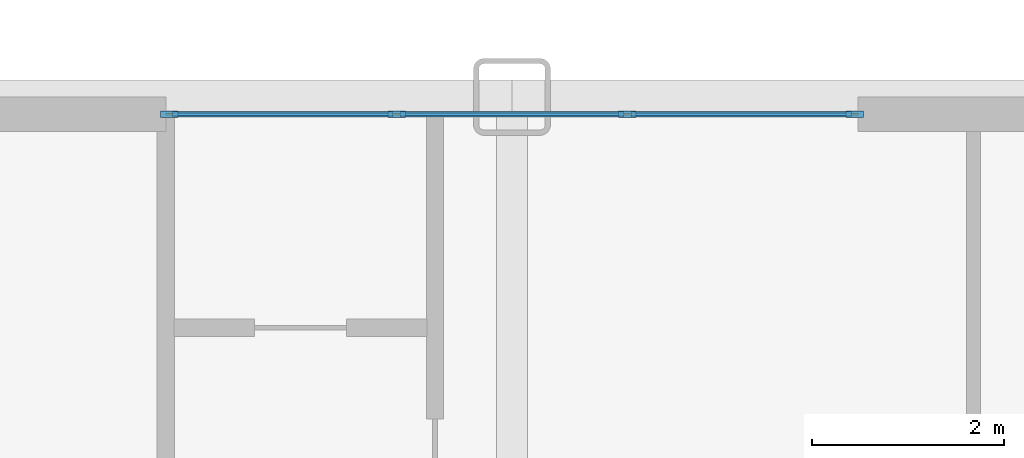
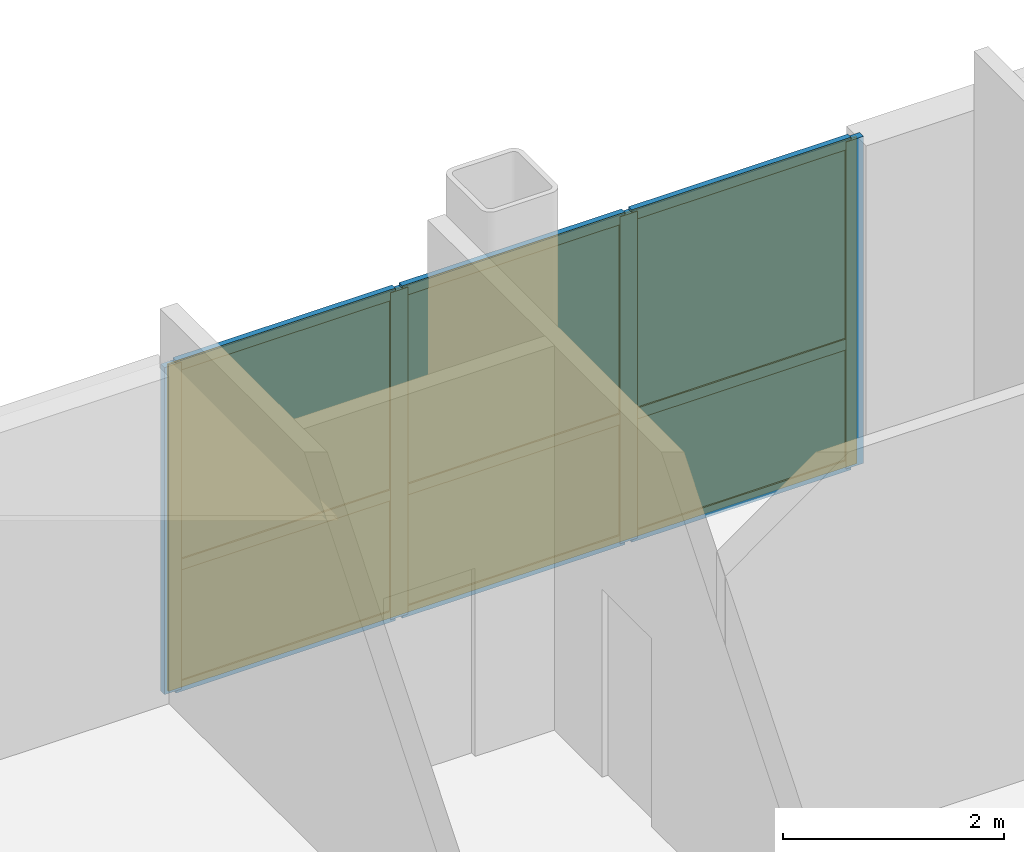
# One storey, part 10 of 15: 13 members, 6 plates, 1 curtain wall.
"""IFC4 building model written with IfcOpenShell, lengths in metres."""

from ifc_helpers import new_model, si_unit, direction, frame, frame_2d, origin, origin_2d, place, context, subcontext, project, spatial, rectangle, extrude, source, transform, mapped, material, layer, layer_set, material_profile, profile_set, type_object, type_shapes, element, aggregate, save


model = new_model("IFC4")

# Units and contexts
model_context = context("Model", 3, precision=1e-05, world=origin(), true_north=direction((0.0, 1.0)))
body_context = subcontext(model_context, "Body", "Model", "MODEL_VIEW")
ifc_project = project(units=[si_unit("LENGTHUNIT", "METRE"), si_unit("AREAUNIT", "SQUARE_METRE"), si_unit("VOLUMEUNIT", "CUBIC_METRE"), si_unit("PLANEANGLEUNIT", "RADIAN"), si_unit("MASSUNIT", "GRAM", prefix="KILO")], contexts=[model_context])

# Member
ifc_material_1 = material(Name="Anodised aluminium 6063-T6", Category="aluminium")
ifc_material_profile_1 = material_profile(ifc_material_1, rectangle(XDim=0.070068359375, YDim=0.179931640625, at=origin_2d()), Name="ALU-MULL-70x180")
ifc_profile_set_1 = profile_set([ifc_material_profile_1], Name="Anodised aluminium 6063-T6")
member_type_1 = type_object("IfcMemberType", Name="CWM-2", PredefinedType="MULLION", material=ifc_profile_set_1)
site_placement = place(None, origin())
building_placement = place(site_placement, origin())
storey_placement = place(building_placement, frame((0.0, 0.0, 4.60009765625)))
member_1_placement = place(storey_placement, frame((-22.56494140625, 25.820068359375, 0.0), z_axis=(0.0, 0.0, 1.0), x_axis=(0.0, 1.0, 0.0)))
member_1 = element("IfcMember", 1, at=member_1_placement, type_object=member_type_1, Name="CWS-2 mullion 1", PredefinedType="MULLION", context=body_context, shape_type="SweptSolid", body=[
    extrude(rectangle(XDim=0.070068359375, YDim=0.179931640625, at=origin_2d()), origin(), (0.0, 0.0, 1.0), 3.614990234375),
])

member_2_placement = place(storey_placement, frame((-20.199951171875, 25.820068359375, 0.0), z_axis=(0.0, 0.0, 1.0), x_axis=(0.0, 1.0, 0.0)))
member_2 = element("IfcMember", 2, at=member_2_placement, type_object=member_type_1, Name="CWS-2 mullion 2", PredefinedType="MULLION", context=body_context, shape_type="SweptSolid", body=[
    extrude(rectangle(XDim=0.070068359375, YDim=0.179931640625, at=origin_2d()), origin(), (0.0, 0.0, 1.0), 3.614990234375),
])

member_3_placement = place(storey_placement, frame((-17.800048828125, 25.820068359375, 0.0), z_axis=(0.0, 0.0, 1.0), x_axis=(0.0, 1.0, 0.0)))
member_3 = element("IfcMember", 3, at=member_3_placement, type_object=member_type_1, Name="CWS-2 mullion 3", PredefinedType="MULLION", context=body_context, shape_type="SweptSolid", body=[
    extrude(rectangle(XDim=0.070068359375, YDim=0.179931640625, at=origin_2d()), origin(), (0.0, 0.0, 1.0), 3.614990234375),
])

member_4_placement = place(storey_placement, frame((-15.43505859375, 25.820068359375, 0.0), z_axis=(0.0, 0.0, 1.0), x_axis=(0.0, 1.0, 0.0)))
member_4 = element("IfcMember", 4, at=member_4_placement, type_object=member_type_1, Name="CWS-2 mullion 4", PredefinedType="MULLION", context=body_context, shape_type="SweptSolid", body=[
    extrude(rectangle(XDim=0.070068359375, YDim=0.179931640625, at=origin_2d()), origin(), (0.0, 0.0, 1.0), 3.614990234375),
])

ifc_material_profile_2 = material_profile(ifc_material_1, rectangle(XDim=0.06005859375, YDim=0.1201171875, at=origin_2d()), Name="ALU-TRAN-60x120")
ifc_profile_set_2 = profile_set([ifc_material_profile_2], Name="Anodised aluminium 6063-T6")
member_type_2 = type_object("IfcMemberType", Name="CWT-2", PredefinedType="USERDEFINED", material=ifc_profile_set_2)
member_5_placement = place(storey_placement, frame((-22.530029296875, 25.820068359375, 0.02978515625), z_axis=(1.0, 0.0, 0.0), x_axis=(0.0, 1.0, 0.0)))
member_5 = element("IfcMember", 5, at=member_5_placement, type_object=member_type_2, Name="CWS-2 transom 1.1", ObjectType="TRANSOM", PredefinedType="USERDEFINED", context=body_context, shape_type="SweptSolid", body=[
    extrude(rectangle(XDim=0.06005859375, YDim=0.1201171875, at=origin_2d()), origin(), (0.0, 0.0, 1.0), 2.294921875),
])

member_6_placement = place(storey_placement, frame((-22.530029296875, 25.820068359375, 1.37353515625), z_axis=(1.0, 0.0, 0.0), x_axis=(0.0, 1.0, 0.0)))
member_6 = element("IfcMember", 6, at=member_6_placement, type_object=member_type_2, Name="CWS-2 transom 1.2", ObjectType="TRANSOM", PredefinedType="USERDEFINED", context=body_context, shape_type="SweptSolid", body=[
    extrude(rectangle(XDim=0.06005859375, YDim=0.1201171875, at=origin_2d()), origin(), (0.0, 0.0, 1.0), 2.294921875),
])

member_7_placement = place(storey_placement, frame((-22.530029296875, 25.820068359375, 3.5849609375), z_axis=(1.0, 0.0, 0.0), x_axis=(0.0, 1.0, 0.0)))
member_7 = element("IfcMember", 7, at=member_7_placement, type_object=member_type_2, Name="CWS-2 transom 1.3", ObjectType="TRANSOM", PredefinedType="USERDEFINED", context=body_context, shape_type="SweptSolid", body=[
    extrude(rectangle(XDim=0.06005859375, YDim=0.1201171875, at=origin_2d()), origin(), (0.0, 0.0, 1.0), 2.294921875),
])

member_8_placement = place(storey_placement, frame((-20.1650390625, 25.820068359375, 0.02978515625), z_axis=(1.0, 0.0, 0.0), x_axis=(0.0, 1.0, 0.0)))
member_8 = element("IfcMember", 8, at=member_8_placement, type_object=member_type_2, Name="CWS-2 transom 2.1", ObjectType="TRANSOM", PredefinedType="USERDEFINED", context=body_context, shape_type="SweptSolid", body=[
    extrude(rectangle(XDim=0.06005859375, YDim=0.1201171875, at=origin_2d()), origin(), (0.0, 0.0, 1.0), 2.330078125),
])

member_9_placement = place(storey_placement, frame((-20.1650390625, 25.820068359375, 1.37353515625), z_axis=(1.0, 0.0, 0.0), x_axis=(0.0, 1.0, 0.0)))
member_9 = element("IfcMember", 9, at=member_9_placement, type_object=member_type_2, Name="CWS-2 transom 2.2", ObjectType="TRANSOM", PredefinedType="USERDEFINED", context=body_context, shape_type="SweptSolid", body=[
    extrude(rectangle(XDim=0.06005859375, YDim=0.1201171875, at=origin_2d()), origin(), (0.0, 0.0, 1.0), 2.330078125),
])

member_10_placement = place(storey_placement, frame((-20.1650390625, 25.820068359375, 3.5849609375), z_axis=(1.0, 0.0, 0.0), x_axis=(0.0, 1.0, 0.0)))
member_10 = element("IfcMember", 10, at=member_10_placement, type_object=member_type_2, Name="CWS-2 transom 2.3", ObjectType="TRANSOM", PredefinedType="USERDEFINED", context=body_context, shape_type="SweptSolid", body=[
    extrude(rectangle(XDim=0.06005859375, YDim=0.1201171875, at=origin_2d()), origin(), (0.0, 0.0, 1.0), 2.330078125),
])

member_11_placement = place(storey_placement, frame((-17.764892578125, 25.820068359375, 0.02978515625), z_axis=(1.0, 0.0, 0.0), x_axis=(0.0, 1.0, 0.0)))
member_11 = element("IfcMember", 11, at=member_11_placement, type_object=member_type_2, Name="CWS-2 transom 3.1", ObjectType="TRANSOM", PredefinedType="USERDEFINED", context=body_context, shape_type="SweptSolid", body=[
    extrude(rectangle(XDim=0.06005859375, YDim=0.1201171875, at=origin_2d()), origin(), (0.0, 0.0, 1.0), 2.294921875),
])

member_12_placement = place(storey_placement, frame((-17.764892578125, 25.820068359375, 1.37353515625), z_axis=(1.0, 0.0, 0.0), x_axis=(0.0, 1.0, 0.0)))
member_12 = element("IfcMember", 12, at=member_12_placement, type_object=member_type_2, Name="CWS-2 transom 3.2", ObjectType="TRANSOM", PredefinedType="USERDEFINED", context=body_context, shape_type="SweptSolid", body=[
    extrude(rectangle(XDim=0.06005859375, YDim=0.1201171875, at=origin_2d()), origin(), (0.0, 0.0, 1.0), 2.294921875),
])

member_13_placement = place(storey_placement, frame((-17.764892578125, 25.820068359375, 3.5849609375), z_axis=(1.0, 0.0, 0.0), x_axis=(0.0, 1.0, 0.0)))
member_13 = element("IfcMember", 13, at=member_13_placement, type_object=member_type_2, Name="CWS-2 transom 3.3", ObjectType="TRANSOM", PredefinedType="USERDEFINED", context=body_context, shape_type="SweptSolid", body=[
    extrude(rectangle(XDim=0.06005859375, YDim=0.1201171875, at=origin_2d()), origin(), (0.0, 0.0, 1.0), 2.294921875),
])

# Plate
ifc_material_2 = material(Name="Insulated solar-control glass", Category="glass")
ifc_layer_1 = layer(ifc_material_2, 0.030029296875, Name="CWP-2")
ifc_layer_set_1 = layer_set([ifc_layer_1], Name="Insulated solar-control glass")
plate_type = type_object("IfcPlateType", Name="CWP-2", PredefinedType="CURTAIN_PANEL", material=ifc_layer_set_1)
shared_shape_1 = source(origin(), body_context, "Body", "SweptSolid", [
    extrude(rectangle(XDim=2.294921875, YDim=0.030029296875, at=origin_2d()), origin(), (0.0, 0.0, 1.0), 1.28369140625),
])
plate_1_placement = place(storey_placement, frame((-21.382568359375, 25.820068359375, 0.059814453125), z_axis=(0.0, 0.0, 1.0), x_axis=(1.0, 0.0, 0.0)))
plate_1 = element("IfcPlate", 14, at=plate_1_placement, type_object=plate_type, Name="CWS-2 panel 1.1", PredefinedType="CURTAIN_PANEL", context=body_context, shape_type="MappedRepresentation", body=[
    mapped(shared_shape_1, transform((0.0, 0.0, 0.0), scale=1.0)),
])

plate_2_placement = place(storey_placement, frame((-16.617431640625, 25.820068359375, 0.059814453125), z_axis=(0.0, 0.0, 1.0), x_axis=(1.0, 0.0, 0.0)))
plate_2 = element("IfcPlate", 15, at=plate_2_placement, type_object=plate_type, Name="CWS-2 panel 3.1", PredefinedType="CURTAIN_PANEL", context=body_context, shape_type="MappedRepresentation", body=[
    mapped(shared_shape_1, transform((0.0, 0.0, 0.0), scale=1.0)),
])

shared_shape_2 = source(origin(), body_context, "Body", "SweptSolid", [
    extrude(rectangle(XDim=2.294921875, YDim=0.030029296875, at=origin_2d()), origin(), (0.0, 0.0, 1.0), 2.1513671875),
])
plate_3_placement = place(storey_placement, frame((-21.382568359375, 25.820068359375, 1.403564453125), z_axis=(0.0, 0.0, 1.0), x_axis=(1.0, 0.0, 0.0)))
plate_3 = element("IfcPlate", 16, at=plate_3_placement, type_object=plate_type, Name="CWS-2 panel 1.2", PredefinedType="CURTAIN_PANEL", context=body_context, shape_type="MappedRepresentation", body=[
    mapped(shared_shape_2, transform((0.0, 0.0, 0.0), scale=1.0)),
])

plate_4_placement = place(storey_placement, frame((-16.617431640625, 25.820068359375, 1.403564453125), z_axis=(0.0, 0.0, 1.0), x_axis=(1.0, 0.0, 0.0)))
plate_4 = element("IfcPlate", 17, at=plate_4_placement, type_object=plate_type, Name="CWS-2 panel 3.2", PredefinedType="CURTAIN_PANEL", context=body_context, shape_type="MappedRepresentation", body=[
    mapped(shared_shape_2, transform((0.0, 0.0, 0.0), scale=1.0)),
])

shared_shape_3 = source(origin(), body_context, "Body", "SweptSolid", [
    extrude(rectangle(XDim=2.330078125, YDim=0.030029296875, at=origin_2d()), origin(), (0.0, 0.0, 1.0), 1.28369140625),
])
plate_5_placement = place(storey_placement, frame((-19.0, 25.820068359375, 0.059814453125), z_axis=(0.0, 0.0, 1.0), x_axis=(1.0, 0.0, 0.0)))
plate_5 = element("IfcPlate", 18, at=plate_5_placement, type_object=plate_type, Name="CWS-2 panel 2.1", PredefinedType="CURTAIN_PANEL", context=body_context, shape_type="MappedRepresentation", body=[
    mapped(shared_shape_3, transform((0.0, 0.0, 0.0), scale=1.0)),
])

shared_shape_4 = source(origin(), body_context, "Body", "SweptSolid", [
    extrude(rectangle(XDim=2.330078125, YDim=0.030029296875, at=origin_2d()), origin(), (0.0, 0.0, 1.0), 2.1513671875),
])
type_shapes(plate_type, [shared_shape_1, shared_shape_2, shared_shape_3, shared_shape_4])
plate_6_placement = place(storey_placement, frame((-19.0, 25.820068359375, 1.403564453125), z_axis=(0.0, 0.0, 1.0), x_axis=(1.0, 0.0, 0.0)))
plate_6 = element("IfcPlate", 19, at=plate_6_placement, type_object=plate_type, Name="CWS-2 panel 2.2", PredefinedType="CURTAIN_PANEL", context=body_context, shape_type="MappedRepresentation", body=[
    mapped(shared_shape_4, transform((0.0, 0.0, 0.0), scale=1.0)),
])

# Site, building, storey
site = spatial("IfcSite", under=ifc_project, at=site_placement, CompositionType="ELEMENT")
building = spatial("IfcBuilding", under=site, at=building_placement, Name="Nuvemarco Arch Tower", CompositionType="ELEMENT")
storey = spatial("IfcBuildingStorey", under=building, at=storey_placement, Name="L01", CompositionType="ELEMENT", Elevation=4.60009765625)

# Curtain wall
ifc_layer_2 = layer(ifc_material_2, 0.179931640625, Name="CW-SYS-2")
ifc_layer_set_2 = layer_set([ifc_layer_2], Name="Insulated solar-control glass")
curtain_wall_type = type_object("IfcCurtainWallType", Name="CW-SYS-2", PredefinedType="NOTDEFINED", material=ifc_layer_set_2)
curtain_wall_placement = place(storey_placement, frame((-22.60009765625, 25.820068359375, 0.0), z_axis=(0.0, 0.0, 1.0), x_axis=(1.0, 0.0, 0.0)))
curtain_wall = element("IfcCurtainWall", 20, at=curtain_wall_placement, inside=storey, type_object=curtain_wall_type, Name="L01 curtain wall CWS-2", PredefinedType="NOTDEFINED", context=body_context, shape_type="SweptSolid", body=[
    extrude(rectangle(XDim=7.2001953125, YDim=0.02001953125, at=frame_2d((3.60009765625, 0.0))), origin(), (0.0, 0.0, 1.0), 3.614990234375),
])

aggregate(curtain_wall, [member_1, member_2, member_3, member_4, member_5, member_6, member_7, plate_1, plate_3, member_8, member_9, member_10, plate_5, plate_6, member_11, member_12, member_13, plate_2, plate_4])

save(model, "model.ifc")
